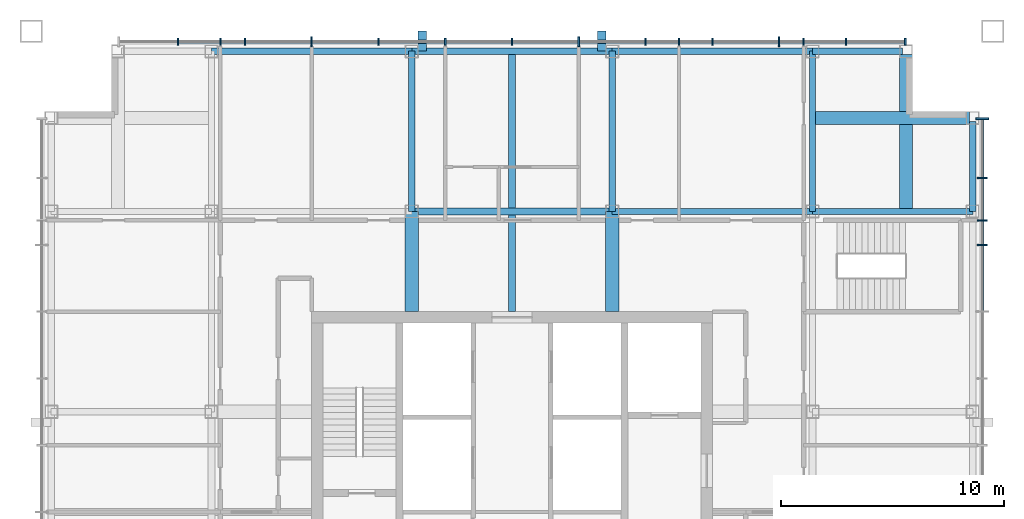
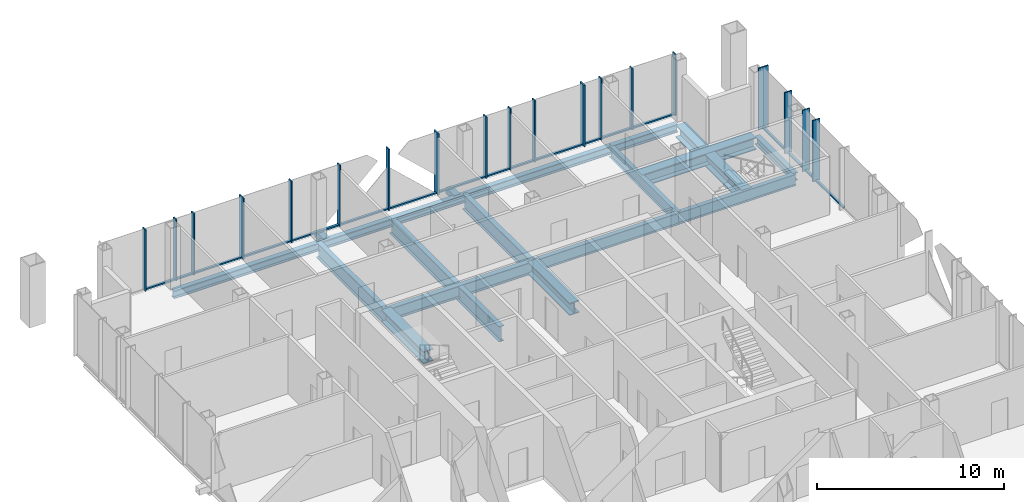
# One storey, part 5 of 12: 39 members, 16 beams, 2 elements without a shape of their own.
"""IFC4 building model written with IfcOpenShell, lengths in metres."""

from ifc_helpers import new_model, si_unit, direction, frame, origin, origin_2d, place, context, subcontext, project, spatial, rectangle, hollow_rectangle, i_section, extrude, material, layer, layer_set, material_profile, profile_set, type_object, element, aggregate, save


model = new_model("IFC4")

# Units and contexts
model_context = context("Model", 3, precision=1e-05, world=origin(), true_north=direction((0.0, 1.0)))
body_context = subcontext(model_context, "Body", "Model", "MODEL_VIEW")
ifc_project = project(units=[si_unit("LENGTHUNIT", "METRE"), si_unit("AREAUNIT", "SQUARE_METRE"), si_unit("VOLUMEUNIT", "CUBIC_METRE"), si_unit("PLANEANGLEUNIT", "RADIAN"), si_unit("MASSUNIT", "GRAM", prefix="KILO")], contexts=[model_context])

# Site, building, storey
site_placement = place(None, origin())
site = spatial("IfcSite", under=ifc_project, at=site_placement, CompositionType="ELEMENT")
building_placement = place(site_placement, origin())
building = spatial("IfcBuilding", under=site, at=building_placement, Name="Malebo Sky Hospital", CompositionType="ELEMENT")
storey_placement = place(building_placement, frame((0.0, 0.0, 266.0)))
storey = spatial("IfcBuildingStorey", under=building, at=storey_placement, Name="L64", CompositionType="ELEMENT", Elevation=266.0)

# Curtain wall, members
ifc_material_1 = material(Name="Anodised aluminium, natural silver", Category="aluminium")
ifc_layer_1 = layer(ifc_material_1, 0.25)
ifc_layer_set_1 = layer_set([ifc_layer_1], Name="WARD CURTAIN WALL NORTH AND SOUTH")
curtain_wall_type_1 = type_object("IfcCurtainWallType", Name="WARD CURTAIN WALL NORTH AND SOUTH", PredefinedType="NOTDEFINED", material=ifc_layer_set_1)
curtain_wall_1_placement = place(storey_placement, origin())
curtain_wall_1 = element("IfcCurtainWall", 1, at=curtain_wall_1_placement, inside=storey, type_object=curtain_wall_type_1, Name="NS curtain wall N", PredefinedType="NOTDEFINED")
ifc_material_profile_1 = material_profile(ifc_material_1, rectangle(XDim=0.14990234375, YDim=0.10009765625, at=origin_2d()), Name="ALUMINIUM TRANSOM 150x100")
ifc_profile_set_1 = profile_set([ifc_material_profile_1], Name="Anodised aluminium, natural silver")
member_type_1 = type_object("IfcMemberType", Name="ALUMINIUM TRANSOM 150x100", PredefinedType="USERDEFINED", material=ifc_profile_set_1)
member_1_placement = place(storey_placement, frame((45.03759765625, 83.125, 0.050048828125), z_axis=(1.0, 0.0, 0.0), x_axis=(0.0, 1.0, 0.0)))
member_1 = element("IfcMember", 2, at=member_1_placement, type_object=member_type_1, Name="Transom 2", ObjectType="TRANSOM", PredefinedType="USERDEFINED", context=body_context, shape_type="SweptSolid", body=[
    extrude(rectangle(XDim=0.14990234375, YDim=0.10009765625, at=origin_2d()), origin(), (0.0, 0.0, 1.0), 1.824951171875),
])
member_2_placement = place(storey_placement, frame((46.9375, 83.125, 0.050048828125), z_axis=(1.0, 0.0, 0.0), x_axis=(0.0, 1.0, 0.0)))
member_2 = element("IfcMember", 3, at=member_2_placement, type_object=member_type_1, Name="Transom 3", ObjectType="TRANSOM", PredefinedType="USERDEFINED", context=body_context, shape_type="SweptSolid", body=[
    extrude(rectangle(XDim=0.14990234375, YDim=0.10009765625, at=origin_2d()), origin(), (0.0, 0.0, 1.0), 1.02490234375),
])
member_3_placement = place(storey_placement, frame((48.03759765625, 83.125, 0.050048828125), z_axis=(1.0, 0.0, 0.0), x_axis=(0.0, 1.0, 0.0)))
member_3 = element("IfcMember", 4, at=member_3_placement, type_object=member_type_1, Name="Transom 4", ObjectType="TRANSOM", PredefinedType="USERDEFINED", context=body_context, shape_type="SweptSolid", body=[
    extrude(rectangle(XDim=0.14990234375, YDim=0.10009765625, at=origin_2d()), origin(), (0.0, 0.0, 1.0), 2.9248046875),
])
member_4_placement = place(storey_placement, frame((51.03759765625, 83.125, 0.050048828125), z_axis=(1.0, 0.0, 0.0), x_axis=(0.0, 1.0, 0.0)))
member_4 = element("IfcMember", 5, at=member_4_placement, type_object=member_type_1, Name="Transom 5", ObjectType="TRANSOM", PredefinedType="USERDEFINED", context=body_context, shape_type="SweptSolid", body=[
    extrude(rectangle(XDim=0.14990234375, YDim=0.10009765625, at=origin_2d()), origin(), (0.0, 0.0, 1.0), 2.9248046875),
])
member_5_placement = place(storey_placement, frame((54.03759765625, 83.125, 0.050048828125), z_axis=(1.0, 0.0, 0.0), x_axis=(0.0, 1.0, 0.0)))
member_5 = element("IfcMember", 6, at=member_5_placement, type_object=member_type_1, Name="Transom 6", ObjectType="TRANSOM", PredefinedType="USERDEFINED", context=body_context, shape_type="SweptSolid", body=[
    extrude(rectangle(XDim=0.14990234375, YDim=0.10009765625, at=origin_2d()), origin(), (0.0, 0.0, 1.0), 2.9248046875),
])
member_6_placement = place(storey_placement, frame((57.03759765625, 83.125, 0.050048828125), z_axis=(1.0, 0.0, 0.0), x_axis=(0.0, 1.0, 0.0)))
member_6 = element("IfcMember", 7, at=member_6_placement, type_object=member_type_1, Name="Transom 7", ObjectType="TRANSOM", PredefinedType="USERDEFINED", context=body_context, shape_type="SweptSolid", body=[
    extrude(rectangle(XDim=0.14990234375, YDim=0.10009765625, at=origin_2d()), origin(), (0.0, 0.0, 1.0), 2.9248046875),
])
member_7_placement = place(storey_placement, frame((60.03759765625, 83.125, 0.050048828125), z_axis=(1.0, 0.0, 0.0), x_axis=(0.0, 1.0, 0.0)))
member_7 = element("IfcMember", 8, at=member_7_placement, type_object=member_type_1, Name="Transom 8", ObjectType="TRANSOM", PredefinedType="USERDEFINED", context=body_context, shape_type="SweptSolid", body=[
    extrude(rectangle(XDim=0.14990234375, YDim=0.10009765625, at=origin_2d()), origin(), (0.0, 0.0, 1.0), 2.9248046875),
])
member_8_placement = place(storey_placement, frame((63.03759765625, 83.125, 0.050048828125), z_axis=(1.0, 0.0, 0.0), x_axis=(0.0, 1.0, 0.0)))
member_8 = element("IfcMember", 9, at=member_8_placement, type_object=member_type_1, Name="Transom 9", ObjectType="TRANSOM", PredefinedType="USERDEFINED", context=body_context, shape_type="SweptSolid", body=[
    extrude(rectangle(XDim=0.14990234375, YDim=0.10009765625, at=origin_2d()), origin(), (0.0, 0.0, 1.0), 2.9248046875),
])
member_9_placement = place(storey_placement, frame((66.03759765625, 83.125, 0.050048828125), z_axis=(1.0, 0.0, 0.0), x_axis=(0.0, 1.0, 0.0)))
member_9 = element("IfcMember", 10, at=member_9_placement, type_object=member_type_1, Name="Transom 10", ObjectType="TRANSOM", PredefinedType="USERDEFINED", context=body_context, shape_type="SweptSolid", body=[
    extrude(rectangle(XDim=0.14990234375, YDim=0.10009765625, at=origin_2d()), origin(), (0.0, 0.0, 1.0), 1.4248046875),
])
member_10_placement = place(storey_placement, frame((67.53759765625, 83.125, 0.050048828125), z_axis=(1.0, 0.0, 0.0), x_axis=(0.0, 1.0, 0.0)))
member_10 = element("IfcMember", 11, at=member_10_placement, type_object=member_type_1, Name="Transom 11", ObjectType="TRANSOM", PredefinedType="USERDEFINED", context=body_context, shape_type="SweptSolid", body=[
    extrude(rectangle(XDim=0.14990234375, YDim=0.10009765625, at=origin_2d()), origin(), (0.0, 0.0, 1.0), 1.4248046875),
])
member_11_placement = place(storey_placement, frame((69.03759765625, 83.125, 0.050048828125), z_axis=(1.0, 0.0, 0.0), x_axis=(0.0, 1.0, 0.0)))
member_11 = element("IfcMember", 12, at=member_11_placement, type_object=member_type_1, Name="Transom 12", ObjectType="TRANSOM", PredefinedType="USERDEFINED", context=body_context, shape_type="SweptSolid", body=[
    extrude(rectangle(XDim=0.14990234375, YDim=0.10009765625, at=origin_2d()), origin(), (0.0, 0.0, 1.0), 2.9248046875),
])
member_12_placement = place(storey_placement, frame((72.03759765625, 83.125, 0.050048828125), z_axis=(1.0, 0.0, 0.0), x_axis=(0.0, 1.0, 0.0)))
member_12 = element("IfcMember", 13, at=member_12_placement, type_object=member_type_1, Name="Transom 13", ObjectType="TRANSOM", PredefinedType="USERDEFINED", context=body_context, shape_type="SweptSolid", body=[
    extrude(rectangle(XDim=0.14990234375, YDim=0.10009765625, at=origin_2d()), origin(), (0.0, 0.0, 1.0), 1.02490234375),
])
member_13_placement = place(storey_placement, frame((73.137451171875, 83.125, 0.050048828125), z_axis=(1.0, 0.0, 0.0), x_axis=(0.0, 1.0, 0.0)))
member_13 = element("IfcMember", 14, at=member_13_placement, type_object=member_type_1, Name="Transom 14", ObjectType="TRANSOM", PredefinedType="USERDEFINED", context=body_context, shape_type="SweptSolid", body=[
    extrude(rectangle(XDim=0.14990234375, YDim=0.10009765625, at=origin_2d()), origin(), (0.0, 0.0, 1.0), 1.824951171875),
])
member_14_placement = place(storey_placement, frame((75.03759765625, 83.125, 0.050048828125), z_axis=(1.0, 0.0, 0.0), x_axis=(0.0, 1.0, 0.0)))
member_14 = element("IfcMember", 15, at=member_14_placement, type_object=member_type_1, Name="Transom 15", ObjectType="TRANSOM", PredefinedType="USERDEFINED", context=body_context, shape_type="SweptSolid", body=[
    extrude(rectangle(XDim=0.14990234375, YDim=0.10009765625, at=origin_2d()), origin(), (0.0, 0.0, 1.0), 2.58740234375),
])

ifc_layer_2 = layer(ifc_material_1, 0.25)
ifc_layer_set_2 = layer_set([ifc_layer_2], Name="WARD CURTAIN WALL EAST AND WEST")
curtain_wall_type_2 = type_object("IfcCurtainWallType", Name="WARD CURTAIN WALL EAST AND WEST", PredefinedType="NOTDEFINED", material=ifc_layer_set_2)
curtain_wall_2_placement = place(storey_placement, origin())
curtain_wall_2 = element("IfcCurtainWall", 16, at=curtain_wall_2_placement, inside=storey, type_object=curtain_wall_type_2, Name="EW curtain wall E", PredefinedType="NOTDEFINED")
member_15_placement = place(storey_placement, frame((81.125, 79.625, 0.050048828125), z_axis=(0.0, -1.0, 0.0), x_axis=(1.0, 0.0, 0.0)))
member_15 = element("IfcMember", 17, at=member_15_placement, type_object=member_type_1, Name="Transom 1", ObjectType="TRANSOM", PredefinedType="USERDEFINED", context=body_context, shape_type="SweptSolid", body=[
    extrude(rectangle(XDim=0.14990234375, YDim=0.10009765625, at=origin_2d()), origin(), (0.0, 0.0, 1.0), 2.58740234375),
])
member_16_placement = place(storey_placement, frame((81.125, 76.96240234375, 0.050048828125), z_axis=(0.0, -1.0, 0.0), x_axis=(1.0, 0.0, 0.0)))
member_16 = element("IfcMember", 18, at=member_16_placement, type_object=member_type_1, Name="Transom 2", ObjectType="TRANSOM", PredefinedType="USERDEFINED", context=body_context, shape_type="SweptSolid", body=[
    extrude(rectangle(XDim=0.14990234375, YDim=0.10009765625, at=origin_2d()), origin(), (0.0, 0.0, 1.0), 1.824951171875),
])
member_17_placement = place(storey_placement, frame((81.125, 75.0625, 0.050048828125), z_axis=(0.0, -1.0, 0.0), x_axis=(1.0, 0.0, 0.0)))
member_17 = element("IfcMember", 19, at=member_17_placement, type_object=member_type_1, Name="Transom 3", ObjectType="TRANSOM", PredefinedType="USERDEFINED", context=body_context, shape_type="SweptSolid", body=[
    extrude(rectangle(XDim=0.14990234375, YDim=0.10009765625, at=origin_2d()), origin(), (0.0, 0.0, 1.0), 1.02490234375),
])
member_18_placement = place(storey_placement, frame((81.125, 73.96240234375, 0.050048828125), z_axis=(0.0, -1.0, 0.0), x_axis=(1.0, 0.0, 0.0)))
member_18 = element("IfcMember", 20, at=member_18_placement, type_object=member_type_1, Name="Transom 4", ObjectType="TRANSOM", PredefinedType="USERDEFINED", context=body_context, shape_type="SweptSolid", body=[
    extrude(rectangle(XDim=0.14990234375, YDim=0.10009765625, at=origin_2d()), origin(), (0.0, 0.0, 1.0), 2.9248046875),
])

# Members
ifc_material_2 = material(Name="Steel S355", Category="steel")
ifc_material_profile_2 = material_profile(ifc_material_2, hollow_rectangle(XDim=0.39990234375, YDim=0.39990234375, WallThickness=0.02001953125, at=origin_2d()), Name="SHS 400x20")
ifc_profile_set_2 = profile_set([ifc_material_profile_2], Name="Steel S355")
member_type_2 = type_object("IfcMemberType", Name="BRACE STRUT SHS 400x20", PredefinedType="STRUT", material=ifc_profile_set_2)
for number, where, z_axis, x_axis, name in (
    (21, (64.03173828125, 83.60009765625, -0.39990234375), (0.0, -1.0, 0.0), (1.0, 0.0, 0.0), "Brace strut DN1 L64"),
    (22, (55.96826171875, 83.60009765625, -0.39990234375), (0.0, -1.0, 0.0), (1.0, 0.0, 0.0), "Brace strut DN2 L64"),
):
    element("IfcMember", number, at=place(storey_placement, frame(where, z_axis=z_axis, x_axis=x_axis)), inside=storey, type_object=member_type_2, Name=name, PredefinedType="STRUT", context=body_context, shape_type="SweptSolid", body=[
        extrude(hollow_rectangle(XDim=0.39990234375, YDim=0.39990234375, WallThickness=0.02001953125, at=origin_2d()), origin(), (0.0, 0.0, 1.0), 0.900146484375),
    ])

# Member
ifc_material_profile_3 = material_profile(ifc_material_1, rectangle(XDim=0.074951171875, YDim=0.300048828125, at=origin_2d()), Name="CW1 ALUMINIUM FIN MULLION 75x300")
ifc_profile_set_3 = profile_set([ifc_material_profile_3], Name="Anodised aluminium, natural silver")
member_type_3 = type_object("IfcMemberType", Name="CW1 ALUMINIUM FIN MULLION 75x300", PredefinedType="MULLION", material=ifc_profile_set_3)
member_19_placement = place(storey_placement, frame((45.0, 83.125, 0.0), z_axis=(0.0, 0.0, 1.0), x_axis=(1.0, 0.0, 0.0)))
member_19 = element("IfcMember", 23, at=member_19_placement, type_object=member_type_3, Name="Fin mullion 2", PredefinedType="MULLION", context=body_context, shape_type="SweptSolid", body=[
    extrude(rectangle(XDim=0.074951171875, YDim=0.300048828125, at=origin_2d()), origin(), (0.0, 0.0, 1.0), 4.0),
])

member_20_placement = place(storey_placement, frame((46.89990234375, 83.125, 0.0), z_axis=(0.0, 0.0, 1.0), x_axis=(1.0, 0.0, 0.0)))
member_20 = element("IfcMember", 24, at=member_20_placement, type_object=member_type_3, Name="Fin mullion 3", PredefinedType="MULLION", context=body_context, shape_type="SweptSolid", body=[
    extrude(rectangle(XDim=0.074951171875, YDim=0.300048828125, at=origin_2d()), origin(), (0.0, 0.0, 1.0), 4.0),
])

member_21_placement = place(storey_placement, frame((48.0, 83.125, 0.0), z_axis=(0.0, 0.0, 1.0), x_axis=(1.0, 0.0, 0.0)))
member_21 = element("IfcMember", 25, at=member_21_placement, type_object=member_type_3, Name="Fin mullion 4", PredefinedType="MULLION", context=body_context, shape_type="SweptSolid", body=[
    extrude(rectangle(XDim=0.074951171875, YDim=0.300048828125, at=origin_2d()), origin(), (0.0, 0.0, 1.0), 4.0),
])

member_22_placement = place(storey_placement, frame((54.0, 83.125, 0.0), z_axis=(0.0, 0.0, 1.0), x_axis=(1.0, 0.0, 0.0)))
member_22 = element("IfcMember", 26, at=member_22_placement, type_object=member_type_3, Name="Fin mullion 6", PredefinedType="MULLION", context=body_context, shape_type="SweptSolid", body=[
    extrude(rectangle(XDim=0.074951171875, YDim=0.300048828125, at=origin_2d()), origin(), (0.0, 0.0, 1.0), 4.0),
])

member_23_placement = place(storey_placement, frame((57.0, 83.125, 0.0), z_axis=(0.0, 0.0, 1.0), x_axis=(1.0, 0.0, 0.0)))
member_23 = element("IfcMember", 27, at=member_23_placement, type_object=member_type_3, Name="Fin mullion 7", PredefinedType="MULLION", context=body_context, shape_type="SweptSolid", body=[
    extrude(rectangle(XDim=0.074951171875, YDim=0.300048828125, at=origin_2d()), origin(), (0.0, 0.0, 1.0), 4.0),
])

member_24_placement = place(storey_placement, frame((60.0, 83.125, 0.0), z_axis=(0.0, 0.0, 1.0), x_axis=(1.0, 0.0, 0.0)))
member_24 = element("IfcMember", 28, at=member_24_placement, type_object=member_type_3, Name="Fin mullion 8", PredefinedType="MULLION", context=body_context, shape_type="SweptSolid", body=[
    extrude(rectangle(XDim=0.074951171875, YDim=0.300048828125, at=origin_2d()), origin(), (0.0, 0.0, 1.0), 4.0),
])

member_25_placement = place(storey_placement, frame((66.0, 83.125, 0.0), z_axis=(0.0, 0.0, 1.0), x_axis=(1.0, 0.0, 0.0)))
member_25 = element("IfcMember", 29, at=member_25_placement, type_object=member_type_3, Name="Fin mullion 10", PredefinedType="MULLION", context=body_context, shape_type="SweptSolid", body=[
    extrude(rectangle(XDim=0.074951171875, YDim=0.300048828125, at=origin_2d()), origin(), (0.0, 0.0, 1.0), 4.0),
])

member_26_placement = place(storey_placement, frame((67.5, 83.125, 0.0), z_axis=(0.0, 0.0, 1.0), x_axis=(1.0, 0.0, 0.0)))
member_26 = element("IfcMember", 30, at=member_26_placement, type_object=member_type_3, Name="Fin mullion 11", PredefinedType="MULLION", context=body_context, shape_type="SweptSolid", body=[
    extrude(rectangle(XDim=0.074951171875, YDim=0.300048828125, at=origin_2d()), origin(), (0.0, 0.0, 1.0), 4.0),
])

member_27_placement = place(storey_placement, frame((69.0, 83.125, 0.0), z_axis=(0.0, 0.0, 1.0), x_axis=(1.0, 0.0, 0.0)))
member_27 = element("IfcMember", 31, at=member_27_placement, type_object=member_type_3, Name="Fin mullion 12", PredefinedType="MULLION", context=body_context, shape_type="SweptSolid", body=[
    extrude(rectangle(XDim=0.074951171875, YDim=0.300048828125, at=origin_2d()), origin(), (0.0, 0.0, 1.0), 4.0),
])

member_28_placement = place(storey_placement, frame((73.10009765625, 83.125, 0.0), z_axis=(0.0, 0.0, 1.0), x_axis=(1.0, 0.0, 0.0)))
member_28 = element("IfcMember", 32, at=member_28_placement, type_object=member_type_3, Name="Fin mullion 14", PredefinedType="MULLION", context=body_context, shape_type="SweptSolid", body=[
    extrude(rectangle(XDim=0.074951171875, YDim=0.300048828125, at=origin_2d()), origin(), (0.0, 0.0, 1.0), 4.0),
])

member_29_placement = place(storey_placement, frame((75.0, 83.125, 0.0), z_axis=(0.0, 0.0, 1.0), x_axis=(1.0, 0.0, 0.0)))
member_29 = element("IfcMember", 33, at=member_29_placement, type_object=member_type_3, Name="Fin mullion 15", PredefinedType="MULLION", context=body_context, shape_type="SweptSolid", body=[
    extrude(rectangle(XDim=0.074951171875, YDim=0.300048828125, at=origin_2d()), origin(), (0.0, 0.0, 1.0), 4.0),
])

member_30_placement = place(storey_placement, frame((77.66259765625, 83.125, 0.0), z_axis=(0.0, 0.0, 1.0), x_axis=(1.0, 0.0, 0.0)))
member_30 = element("IfcMember", 34, at=member_30_placement, type_object=member_type_3, Name="Fin mullion 16", PredefinedType="MULLION", context=body_context, shape_type="SweptSolid", body=[
    extrude(rectangle(XDim=0.074951171875, YDim=0.300048828125, at=origin_2d()), origin(), (0.0, 0.0, 1.0), 4.0),
])

ifc_material_profile_4 = material_profile(ifc_material_1, rectangle(XDim=0.074951171875, YDim=0.449951171875, at=origin_2d()), Name="CW1 ALUMINIUM FIN MULLION 75x450")
ifc_profile_set_4 = profile_set([ifc_material_profile_4], Name="Anodised aluminium, natural silver")
member_type_4 = type_object("IfcMemberType", Name="CW1 ALUMINIUM FIN MULLION 75x450", PredefinedType="MULLION", material=ifc_profile_set_4)
member_31_placement = place(storey_placement, frame((51.0, 83.125, 0.0), z_axis=(0.0, 0.0, 1.0), x_axis=(1.0, 0.0, 0.0)))
member_31 = element("IfcMember", 35, at=member_31_placement, type_object=member_type_4, Name="Fin mullion 5", PredefinedType="MULLION", context=body_context, shape_type="SweptSolid", body=[
    extrude(rectangle(XDim=0.074951171875, YDim=0.449951171875, at=origin_2d()), origin(), (0.0, 0.0, 1.0), 4.0),
])

member_32_placement = place(storey_placement, frame((63.0, 83.125, 0.0), z_axis=(0.0, 0.0, 1.0), x_axis=(1.0, 0.0, 0.0)))
member_32 = element("IfcMember", 36, at=member_32_placement, type_object=member_type_4, Name="Fin mullion 9", PredefinedType="MULLION", context=body_context, shape_type="SweptSolid", body=[
    extrude(rectangle(XDim=0.074951171875, YDim=0.449951171875, at=origin_2d()), origin(), (0.0, 0.0, 1.0), 4.0),
])

member_33_placement = place(storey_placement, frame((72.0, 83.125, 0.0), z_axis=(0.0, 0.0, 1.0), x_axis=(1.0, 0.0, 0.0)))
member_33 = element("IfcMember", 37, at=member_33_placement, type_object=member_type_4, Name="Fin mullion 13", PredefinedType="MULLION", context=body_context, shape_type="SweptSolid", body=[
    extrude(rectangle(XDim=0.074951171875, YDim=0.449951171875, at=origin_2d()), origin(), (0.0, 0.0, 1.0), 4.0),
])

aggregate(curtain_wall_1, [member_19, member_20, member_21, member_31, member_22, member_23, member_24, member_32, member_25, member_26, member_27, member_33, member_28, member_29, member_30, member_1, member_2, member_3, member_4, member_5, member_6, member_7, member_8, member_9, member_10, member_11, member_12, member_13, member_14])

ifc_material_profile_5 = material_profile(ifc_material_1, rectangle(XDim=0.074951171875, YDim=0.449951171875, at=origin_2d()), Name="CW2 ALUMINIUM FIN MULLION 75x450")
ifc_profile_set_5 = profile_set([ifc_material_profile_5], Name="Anodised aluminium, natural silver")
member_type_5 = type_object("IfcMemberType", Name="CW2 ALUMINIUM FIN MULLION 75x450", PredefinedType="MULLION", material=ifc_profile_set_5)
member_34_placement = place(storey_placement, frame((81.125, 77.0, 0.0), z_axis=(0.0, 0.0, 1.0), x_axis=(0.0, -1.0, 0.0)))
member_34 = element("IfcMember", 38, at=member_34_placement, type_object=member_type_5, Name="Fin mullion 2", PredefinedType="MULLION", context=body_context, shape_type="SweptSolid", body=[
    extrude(rectangle(XDim=0.074951171875, YDim=0.449951171875, at=origin_2d()), origin(), (0.0, 0.0, 1.0), 4.0),
])

member_35_placement = place(storey_placement, frame((81.125, 75.10009765625, 0.0), z_axis=(0.0, 0.0, 1.0), x_axis=(0.0, -1.0, 0.0)))
member_35 = element("IfcMember", 39, at=member_35_placement, type_object=member_type_5, Name="Fin mullion 3", PredefinedType="MULLION", context=body_context, shape_type="SweptSolid", body=[
    extrude(rectangle(XDim=0.074951171875, YDim=0.449951171875, at=origin_2d()), origin(), (0.0, 0.0, 1.0), 4.0),
])

member_36_placement = place(storey_placement, frame((81.125, 74.0, 0.0), z_axis=(0.0, 0.0, 1.0), x_axis=(0.0, -1.0, 0.0)))
member_36 = element("IfcMember", 40, at=member_36_placement, type_object=member_type_5, Name="Fin mullion 4", PredefinedType="MULLION", context=body_context, shape_type="SweptSolid", body=[
    extrude(rectangle(XDim=0.074951171875, YDim=0.449951171875, at=origin_2d()), origin(), (0.0, 0.0, 1.0), 4.0),
])

ifc_material_profile_6 = material_profile(ifc_material_1, rectangle(XDim=0.074951171875, YDim=0.60009765625, at=origin_2d()), Name="CW2 ALUMINIUM FIN MULLION 75x600")
ifc_profile_set_6 = profile_set([ifc_material_profile_6], Name="Anodised aluminium, natural silver")
member_type_6 = type_object("IfcMemberType", Name="CW2 ALUMINIUM FIN MULLION 75x600", PredefinedType="MULLION", material=ifc_profile_set_6)
member_37_placement = place(storey_placement, frame((81.125, 79.66259765625, 0.0), z_axis=(0.0, 0.0, 1.0), x_axis=(0.0, -1.0, 0.0)))
member_37 = element("IfcMember", 41, at=member_37_placement, type_object=member_type_6, Name="Fin mullion 1", PredefinedType="MULLION", context=body_context, shape_type="SweptSolid", body=[
    extrude(rectangle(XDim=0.074951171875, YDim=0.60009765625, at=origin_2d()), origin(), (0.0, 0.0, 1.0), 4.0),
])

aggregate(curtain_wall_2, [member_37, member_34, member_35, member_36, member_15, member_16, member_17, member_18])

# Beams
ifc_material_profile_7 = material_profile(ifc_material_2, i_section(OverallWidth=0.305908203125, OverallDepth=0.52392578125, WebThickness=0.02099609375, FlangeThickness=0.0400390625, FilletRadius=0.027099609375, at=origin_2d()), Name="HEM 500")
ifc_profile_set_7 = profile_set([ifc_material_profile_7], Name="Steel S355")
beam_type_1 = type_object("IfcBeamType", Name="EDGE BEAM HEM 500", PredefinedType="BEAM", material=ifc_profile_set_7)
beam_1_placement = place(storey_placement, frame((80.699951171875, 75.5, -0.511962890625), z_axis=(0.0, 1.0, 0.0), x_axis=(-1.0, 0.0, 0.0)))
element("IfcBeam", 42, at=beam_1_placement, inside=storey, type_object=beam_type_1, Name="Beam 033 L64", PredefinedType="BEAM", context=body_context, shape_type="SweptSolid", body=[
    extrude(i_section(OverallWidth=0.305908203125, OverallDepth=0.52392578125, WebThickness=0.02099609375, FlangeThickness=0.0400390625, FilletRadius=0.027099609375, at=origin_2d()), origin(), (0.0, 0.0, 1.0), 4.050048828125),
])
for number, where, z_axis, x_axis, name in (
    (43, (46.5, 82.699951171875, -0.511962890625), (1.0, 0.0, 0.0), (0.0, 1.0, 0.0), "Beam 064 L64"),
    (44, (55.5, 82.699951171875, -0.511962890625), (1.0, 0.0, 0.0), (0.0, 1.0, 0.0), "Beam 065 L64"),
    (45, (64.5, 82.699951171875, -0.511962890625), (1.0, 0.0, 0.0), (0.0, 1.0, 0.0), "Beam 066 L64"),
):
    element("IfcBeam", number, at=place(storey_placement, frame(where, z_axis=z_axis, x_axis=x_axis)), inside=storey, type_object=beam_type_1, Name=name, PredefinedType="BEAM", context=body_context, shape_type="SweptSolid", body=[
        extrude(i_section(OverallWidth=0.305908203125, OverallDepth=0.52392578125, WebThickness=0.02099609375, FlangeThickness=0.0400390625, FilletRadius=0.027099609375, at=origin_2d()), origin(), (0.0, 0.0, 1.0), 9.0),
    ])
beam_2_placement = place(storey_placement, frame((73.5, 82.699951171875, -0.511962890625), z_axis=(1.0, 0.0, 0.0), x_axis=(0.0, 1.0, 0.0)))
element("IfcBeam", 46, at=beam_2_placement, inside=storey, type_object=beam_type_1, Name="Beam 067 L64", PredefinedType="BEAM", context=body_context, shape_type="SweptSolid", body=[
    extrude(i_section(OverallWidth=0.305908203125, OverallDepth=0.52392578125, WebThickness=0.02099609375, FlangeThickness=0.0400390625, FilletRadius=0.027099609375, at=origin_2d()), origin(), (0.0, 0.0, 1.0), 4.050048828125),
])
ifc_material_profile_8 = material_profile(ifc_material_2, i_section(OverallWidth=0.300048828125, OverallDepth=1.0, WebThickness=0.01904296875, FlangeThickness=0.035888671875, FilletRadius=0.030029296875, at=origin_2d()), Name="HEB 1000")
ifc_profile_set_8 = profile_set([ifc_material_profile_8], Name="Steel S355")
beam_type_2 = type_object("IfcBeamType", Name="FLOOR BEAM HEB 1000", PredefinedType="BEAM", material=ifc_profile_set_8)
beam_3_placement = place(storey_placement, frame((55.5, 75.5, -0.75), z_axis=(0.0, 1.0, 0.0), x_axis=(-1.0, 0.0, 0.0)))
element("IfcBeam", 47, at=beam_3_placement, inside=storey, type_object=beam_type_2, Name="Beam 015 L64", PredefinedType="BEAM", context=body_context, shape_type="SweptSolid", body=[
    extrude(i_section(OverallWidth=0.300048828125, OverallDepth=1.0, WebThickness=0.01904296875, FlangeThickness=0.035888671875, FilletRadius=0.030029296875, at=origin_2d()), origin(), (0.0, 0.0, 1.0), 7.199951171875),
])
beam_4_placement = place(storey_placement, frame((60.0, 71.0, -0.75), z_axis=(0.0, 1.0, 0.0), x_axis=(-1.0, 0.0, 0.0)))
element("IfcBeam", 48, at=beam_4_placement, inside=storey, type_object=beam_type_2, Name="Beam 017 L64", PredefinedType="BEAM", context=body_context, shape_type="SweptSolid", body=[
    extrude(i_section(OverallWidth=0.300048828125, OverallDepth=1.0, WebThickness=0.01904296875, FlangeThickness=0.035888671875, FilletRadius=0.030029296875, at=origin_2d()), origin(), (0.0, 0.0, 1.0), 11.699951171875),
])
beam_5_placement = place(storey_placement, frame((64.5, 75.5, -0.75), z_axis=(0.0, 1.0, 0.0), x_axis=(-1.0, 0.0, 0.0)))
element("IfcBeam", 49, at=beam_5_placement, inside=storey, type_object=beam_type_2, Name="Beam 021 L64", PredefinedType="BEAM", context=body_context, shape_type="SweptSolid", body=[
    extrude(i_section(OverallWidth=0.300048828125, OverallDepth=1.0, WebThickness=0.01904296875, FlangeThickness=0.035888671875, FilletRadius=0.030029296875, at=origin_2d()), origin(), (0.0, 0.0, 1.0), 7.199951171875),
])
ifc_material_profile_9 = material_profile(ifc_material_2, i_section(OverallWidth=0.26708984375, OverallDepth=0.761962890625, WebThickness=0.014404296875, FlangeThickness=0.021484375, FilletRadius=0.01708984375, at=origin_2d()), Name="IPE 750x173")
ifc_profile_set_9 = profile_set([ifc_material_profile_9], Name="Steel S355")
beam_type_3 = type_object("IfcBeamType", Name="FLOOR BEAM IPE 750x173", PredefinedType="BEAM", material=ifc_profile_set_9)
beam_6_placement = place(storey_placement, frame((64.5, 75.5, -0.631103515625), z_axis=(1.0, 0.0, 0.0), x_axis=(0.0, 1.0, 0.0)))
element("IfcBeam", 50, at=beam_6_placement, inside=storey, type_object=beam_type_3, Name="Beam 059 L64", PredefinedType="BEAM", context=body_context, shape_type="SweptSolid", body=[
    extrude(i_section(OverallWidth=0.26708984375, OverallDepth=0.761962890625, WebThickness=0.014404296875, FlangeThickness=0.021484375, FilletRadius=0.01708984375, at=origin_2d()), origin(), (0.0, 0.0, 1.0), 9.0),
])
ifc_material_profile_10 = material_profile(ifc_material_2, i_section(OverallWidth=0.60009765625, OverallDepth=0.800048828125, WebThickness=0.0400390625, FlangeThickness=0.06005859375, at=origin_2d()), Name="PG 800x600x40x60")
ifc_profile_set_10 = profile_set([ifc_material_profile_10], Name="Steel S355")
beam_type_4 = type_object("IfcBeamType", Name="FLOOR BEAM PG 800x600x40x60", PredefinedType="BEAM", material=ifc_profile_set_10)
for number, where, z_axis, x_axis, name in (
    (51, (55.5, 71.0, -0.64990234375), (0.0, 1.0, 0.0), (-1.0, 0.0, 0.0), "Beam 014 L64"),
    (52, (64.5, 71.0, -0.64990234375), (0.0, 1.0, 0.0), (-1.0, 0.0, 0.0), "Beam 020 L64"),
):
    element("IfcBeam", number, at=place(storey_placement, frame(where, z_axis=z_axis, x_axis=x_axis)), inside=storey, type_object=beam_type_4, Name=name, PredefinedType="BEAM", context=body_context, shape_type="SweptSolid", body=[
        extrude(i_section(OverallWidth=0.60009765625, OverallDepth=0.800048828125, WebThickness=0.0400390625, FlangeThickness=0.06005859375, at=origin_2d()), origin(), (0.0, 0.0, 1.0), 4.5),
    ])
for number, where, z_axis, x_axis, name in (
    (53, (77.699951171875, 75.5, -0.64990234375), (0.0, 1.0, 0.0), (-1.0, 0.0, 0.0), "Beam 028 L64"),
    (54, (73.5, 79.699951171875, -0.64990234375), (1.0, 0.0, 0.0), (0.0, 1.0, 0.0), "Beam 062 L64"),
):
    element("IfcBeam", number, at=place(storey_placement, frame(where, z_axis=z_axis, x_axis=x_axis)), inside=storey, type_object=beam_type_4, Name=name, PredefinedType="BEAM", context=body_context, shape_type="SweptSolid", body=[
        extrude(i_section(OverallWidth=0.60009765625, OverallDepth=0.800048828125, WebThickness=0.0400390625, FlangeThickness=0.06005859375, at=origin_2d()), origin(), (0.0, 0.0, 1.0), 7.050048828125),
    ])
ifc_material_profile_11 = material_profile(ifc_material_2, i_section(OverallWidth=0.262939453125, OverallDepth=0.7529296875, WebThickness=0.011474609375, FlangeThickness=0.01708984375, FilletRadius=0.01708984375, at=origin_2d()), Name="IPE 750x137")
ifc_profile_set_11 = profile_set([ifc_material_profile_11], Name="Steel S355")
beam_type_5 = type_object("IfcBeamType", Name="FLOOR GIRDER IPE 750x137", PredefinedType="BEAM", material=ifc_profile_set_11)
for number, where, z_axis, x_axis, name in (
    (55, (73.5, 75.5, -0.62646484375), (0.0, 1.0, 0.0), (-1.0, 0.0, 0.0), "Beam 026 L64"),
    (56, (73.5, 75.5, -0.62646484375), (1.0, 0.0, 0.0), (0.0, 1.0, 0.0), "Beam 060 L64"),
):
    element("IfcBeam", number, at=place(storey_placement, frame(where, z_axis=z_axis, x_axis=x_axis)), inside=storey, type_object=beam_type_5, Name=name, PredefinedType="BEAM", context=body_context, shape_type="SweptSolid", body=[
        extrude(i_section(OverallWidth=0.262939453125, OverallDepth=0.7529296875, WebThickness=0.011474609375, FlangeThickness=0.01708984375, FilletRadius=0.01708984375, at=origin_2d()), origin(), (0.0, 0.0, 1.0), 7.199951171875),
    ])
ifc_material_profile_12 = material_profile(ifc_material_2, i_section(OverallWidth=0.300048828125, OverallDepth=0.800048828125, WebThickness=0.017578125, FlangeThickness=0.032958984375, FilletRadius=0.030029296875, at=origin_2d()), Name="HEB 800")
ifc_profile_set_12 = profile_set([ifc_material_profile_12], Name="Steel S355")
beam_type_6 = type_object("IfcBeamType", Name="RING GIRDER HEB 800", PredefinedType="BEAM", material=ifc_profile_set_12)
beam_7_placement = place(storey_placement, frame((55.5, 75.5, -0.64990234375), z_axis=(1.0, 0.0, 0.0), x_axis=(0.0, 1.0, 0.0)))
element("IfcBeam", 57, at=beam_7_placement, inside=storey, type_object=beam_type_6, Name="Beam 058 L64", PredefinedType="BEAM", context=body_context, shape_type="SweptSolid", body=[
    extrude(i_section(OverallWidth=0.300048828125, OverallDepth=0.800048828125, WebThickness=0.017578125, FlangeThickness=0.032958984375, FilletRadius=0.030029296875, at=origin_2d()), origin(), (0.0, 0.0, 1.0), 9.0),
])

save(model, "model.ifc")
